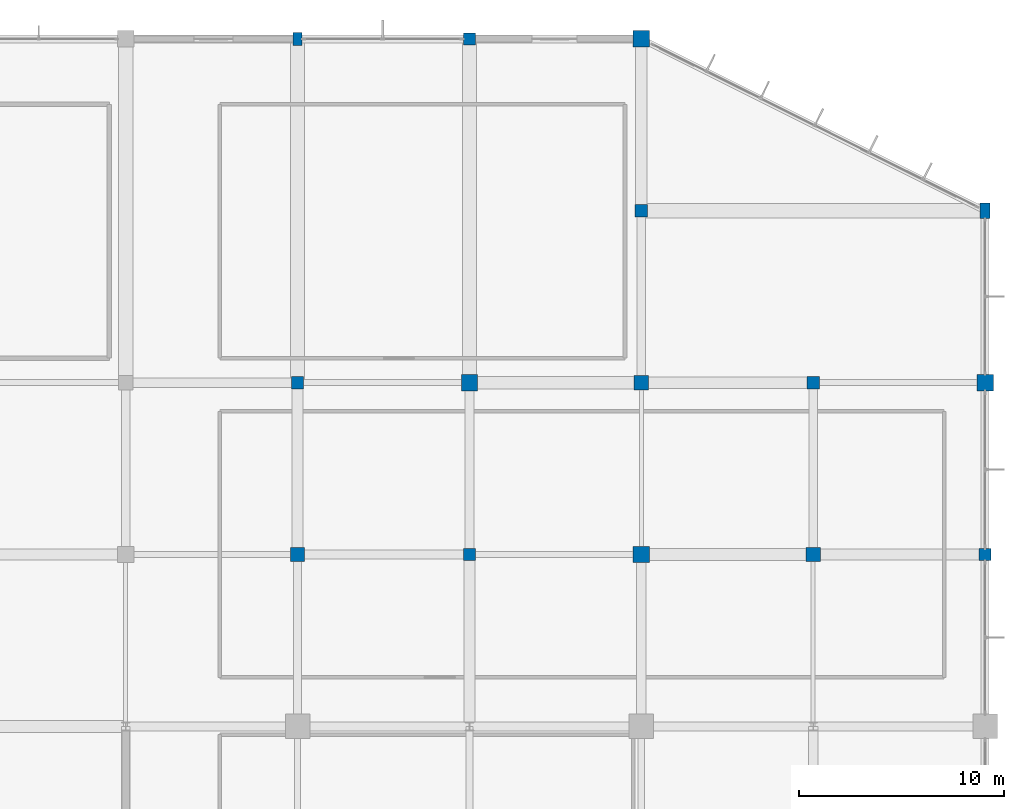
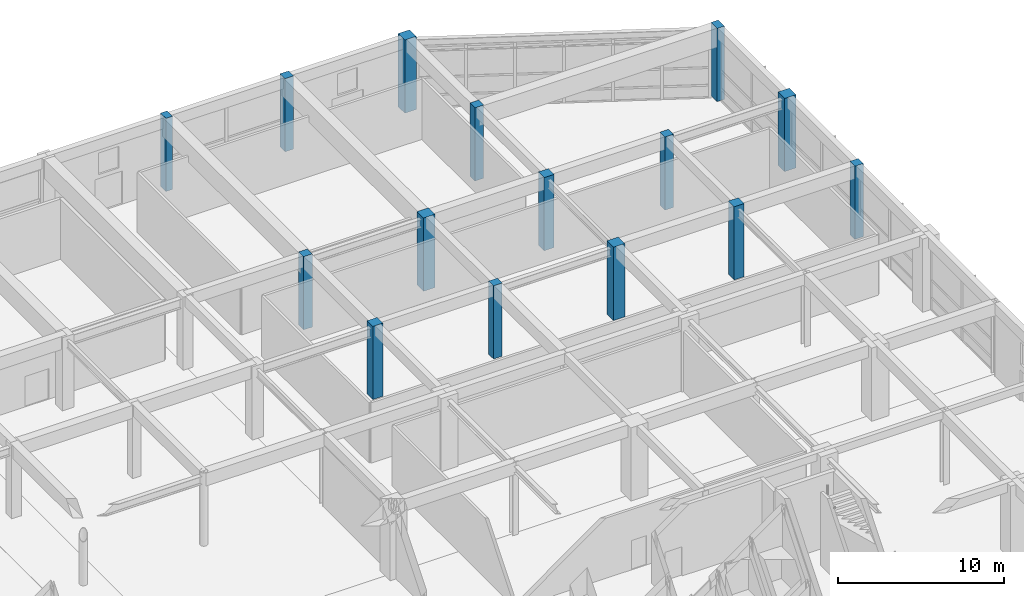
# One storey, part 7 of 62: 15 columns.
"""IFC4 building model written with IfcOpenShell, lengths in metres."""

from ifc_helpers import new_model, si_unit, direction, frame, origin, origin_2d, place, context, subcontext, project, spatial, rectangle, extrude, material, material_profile, profile_set, type_object, element, save


model = new_model("IFC4")

# Units and contexts
model_context = context("Model", 3, precision=1e-05, world=origin(), true_north=direction((0.0, 1.0)))
body_context = subcontext(model_context, "Body", "Model", "MODEL_VIEW")
ifc_project = project(units=[si_unit("LENGTHUNIT", "METRE"), si_unit("AREAUNIT", "SQUARE_METRE"), si_unit("VOLUMEUNIT", "CUBIC_METRE"), si_unit("PLANEANGLEUNIT", "RADIAN"), si_unit("MASSUNIT", "GRAM", prefix="KILO")], contexts=[model_context])

# Site, building, storey
site_placement = place(None, origin())
site = spatial("IfcSite", under=ifc_project, at=site_placement, CompositionType="ELEMENT")
building_placement = place(site_placement, origin())
building = spatial("IfcBuilding", under=site, at=building_placement, Name="Xuanlan Plaza Opera House", CompositionType="ELEMENT")
storey_placement = place(building_placement, origin())
storey = spatial("IfcBuildingStorey", under=building, at=storey_placement, Name="L00", CompositionType="ELEMENT", Elevation=0.0)

# Columns
ifc_material = material(Name="Concrete C40", Category="concrete")
ifc_material_profile_1 = material_profile(ifc_material, rectangle(XDim=0.800048828125, YDim=0.800048828125, at=origin_2d()), Name="RC-COL 800x800")
ifc_profile_set_1 = profile_set([ifc_material_profile_1], Name="Concrete C40")
column_type_1 = type_object("IfcColumnType", Name="STR-COL-C-06", PredefinedType="COLUMN", material=ifc_profile_set_1)
for number, where, z_axis, x_axis, name in (
    (1, (142.800048828125, 100.800048828125, 0.0), (0.0, 0.0, 1.0), (1.0, 0.0, 0.0), "Column L00 18-M"),
    (2, (151.199951171875, 92.39990234375, 0.0), (0.0, 0.0, 1.0), (1.0, 0.0, 0.0), "Column L00 19-L"),
    (3, (151.199951171875, 117.60009765625, 0.0), (0.0, 0.0, 1.0), (1.0, 0.0, 0.0), "Column L00 19-O"),
    (4, (168.0, 100.800048828125, 0.0), (0.0, 0.0, 1.0), (1.0, 0.0, 0.0), "Column L00 21-M"),
):
    element("IfcColumn", number, at=place(storey_placement, frame(where, z_axis=z_axis, x_axis=x_axis)), inside=storey, type_object=column_type_1, Name=name, PredefinedType="COLUMN", context=body_context, shape_type="SweptSolid", body=[
        extrude(rectangle(XDim=0.800048828125, YDim=0.800048828125, at=origin_2d()), origin(), (0.0, 0.0, 1.0), 5.39990234375),
    ])
ifc_material_profile_2 = material_profile(ifc_material, rectangle(XDim=0.699951171875, YDim=0.699951171875, at=origin_2d()), Name="RC-COL 700x700")
ifc_profile_set_2 = profile_set([ifc_material_profile_2], Name="Concrete C40")
column_type_2 = type_object("IfcColumnType", Name="STR-COL-C-07", PredefinedType="COLUMN", material=ifc_profile_set_2)
for number, where, z_axis, x_axis, name in (
    (5, (134.39990234375, 92.39990234375, 0.0), (0.0, 0.0, 1.0), (1.0, 0.0, 0.0), "Column L00 17-L"),
    (6, (151.199951171875, 100.800048828125, 0.0), (0.0, 0.0, 1.0), (1.0, 0.0, 0.0), "Column L00 19-M"),
    (7, (159.60009765625, 92.39990234375, 0.0), (0.0, 0.0, 1.0), (1.0, 0.0, 0.0), "Column L00 20-L"),
):
    element("IfcColumn", number, at=place(storey_placement, frame(where, z_axis=z_axis, x_axis=x_axis)), inside=storey, type_object=column_type_2, Name=name, PredefinedType="COLUMN", context=body_context, shape_type="SweptSolid", body=[
        extrude(rectangle(XDim=0.699951171875, YDim=0.699951171875, at=origin_2d()), origin(), (0.0, 0.0, 1.0), 5.39990234375),
    ])
ifc_material_profile_3 = material_profile(ifc_material, rectangle(XDim=0.60009765625, YDim=0.60009765625, at=origin_2d()), Name="RC-COL 600x600")
ifc_profile_set_3 = profile_set([ifc_material_profile_3], Name="Concrete C40")
column_type_3 = type_object("IfcColumnType", Name="STR-COL-C-08", PredefinedType="COLUMN", material=ifc_profile_set_3)
for number, where, z_axis, x_axis, name in (
    (8, (134.39990234375, 100.800048828125, 0.0), (0.0, 0.0, 1.0), (1.0, 0.0, 0.0), "Column L00 17-M"),
    (9, (142.800048828125, 92.39990234375, 0.0), (0.0, 0.0, 1.0), (1.0, 0.0, 0.0), "Column L00 18-L"),
    (10, (142.800048828125, 117.60009765625, 0.0), (0.0, 0.0, 1.0), (1.0, 0.0, 0.0), "Column L00 18-O"),
    (11, (151.199951171875, 109.199951171875, 0.0), (0.0, 0.0, 1.0), (1.0, 0.0, 0.0), "Column L00 19-N"),
    (12, (159.60009765625, 100.800048828125, 0.0), (0.0, 0.0, 1.0), (1.0, 0.0, 0.0), "Column L00 20-M"),
    (13, (168.0, 92.39990234375, 0.0), (0.0, 0.0, 1.0), (1.0, 0.0, 0.0), "Column L00 21-L"),
):
    element("IfcColumn", number, at=place(storey_placement, frame(where, z_axis=z_axis, x_axis=x_axis)), inside=storey, type_object=column_type_3, Name=name, PredefinedType="COLUMN", context=body_context, shape_type="SweptSolid", body=[
        extrude(rectangle(XDim=0.60009765625, YDim=0.60009765625, at=origin_2d()), origin(), (0.0, 0.0, 1.0), 5.39990234375),
    ])
ifc_material_profile_4 = material_profile(ifc_material, rectangle(XDim=0.449951171875, YDim=0.64990234375, at=origin_2d()), Name="RC-PIL 450x650")
ifc_profile_set_4 = profile_set([ifc_material_profile_4], Name="Concrete C40")
column_type_4 = type_object("IfcColumnType", Name="STR-COL-PL-01", PredefinedType="PILASTER", material=ifc_profile_set_4)
column_1_placement = place(storey_placement, frame((134.39990234375, 117.60009765625, 0.0), z_axis=(0.0, 0.0, 1.0), x_axis=(1.0, 0.0, 0.0)))
element("IfcColumn", 14, at=column_1_placement, inside=storey, type_object=column_type_4, Name="Column L00 17-O", PredefinedType="PILASTER", context=body_context, shape_type="SweptSolid", body=[
    extrude(rectangle(XDim=0.449951171875, YDim=0.64990234375, at=origin_2d()), origin(), (0.0, 0.0, 1.0), 5.39990234375),
])
ifc_material_profile_5 = material_profile(ifc_material, rectangle(XDim=0.5, YDim=0.75, at=origin_2d()), Name="RC-PIL 500x750")
ifc_profile_set_5 = profile_set([ifc_material_profile_5], Name="Concrete C40")
column_type_5 = type_object("IfcColumnType", Name="STR-COL-PL-02", PredefinedType="PILASTER", material=ifc_profile_set_5)
column_2_placement = place(storey_placement, frame((168.0, 109.199951171875, 0.0), z_axis=(0.0, 0.0, 1.0), x_axis=(1.0, 0.0, 0.0)))
element("IfcColumn", 15, at=column_2_placement, inside=storey, type_object=column_type_5, Name="Column L00 21-N", PredefinedType="PILASTER", context=body_context, shape_type="SweptSolid", body=[
    extrude(rectangle(XDim=0.5, YDim=0.75, at=origin_2d()), origin(), (0.0, 0.0, 1.0), 5.39990234375),
])

save(model, "model.ifc")
